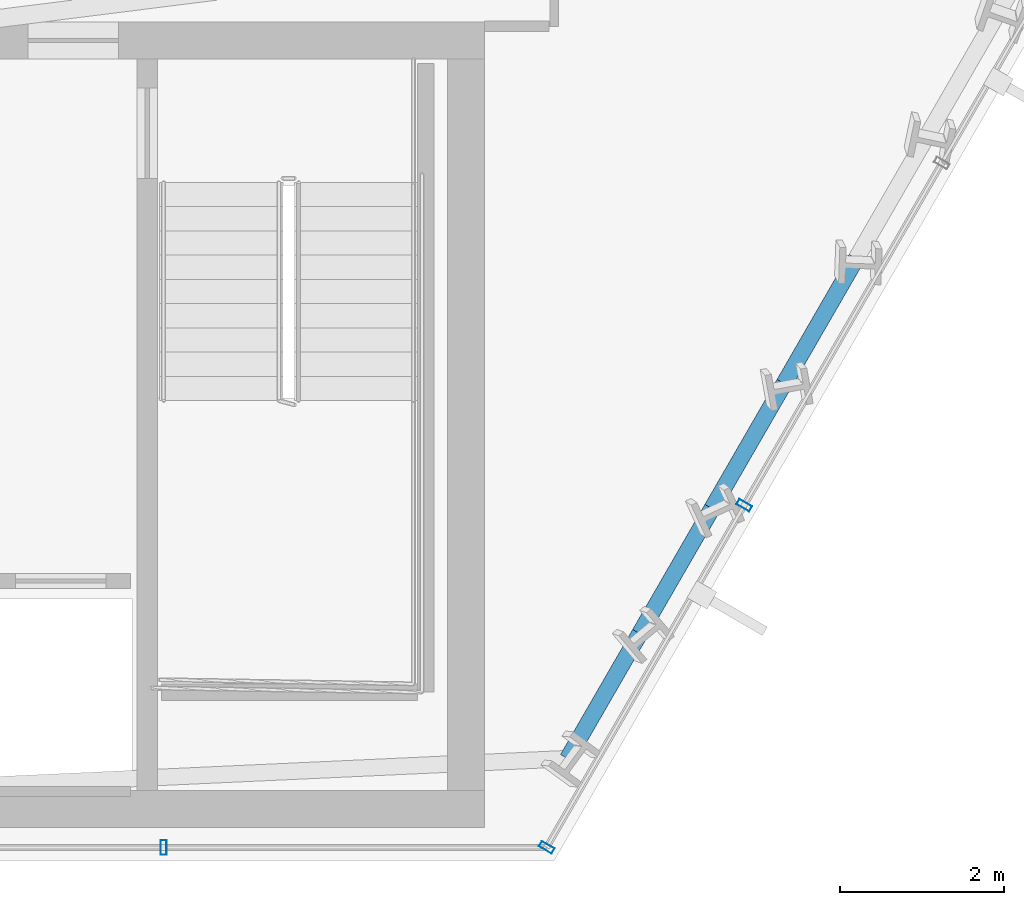
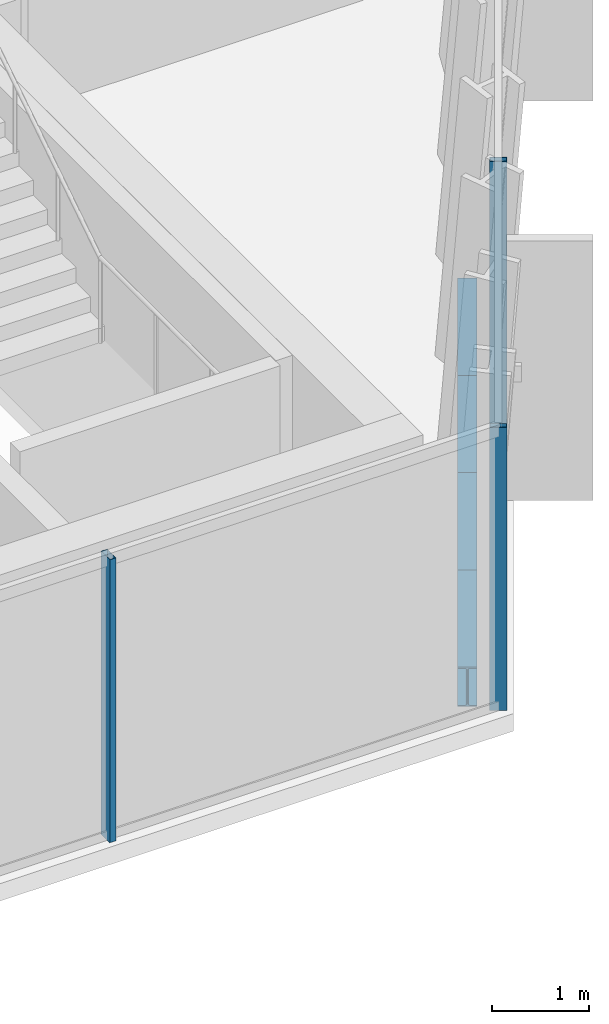
# One storey, part 16 of 33: 4 beams, 3 members, 2 elements without a shape of their own.
"""IFC4 building model written with IfcOpenShell, lengths in metres."""

from ifc_helpers import new_model, si_unit, direction, frame, origin, origin_2d, place, context, subcontext, project, spatial, hollow_rectangle, i_section, extrude, material, layer, layer_set, material_profile, profile_set, type_object, element, aggregate, save


model = new_model("IFC4")

# Units and contexts
model_context = context("Model", 3, precision=1e-05, world=origin(), true_north=direction((0.0, 1.0)))
body_context = subcontext(model_context, "Body", "Model", "MODEL_VIEW")
ifc_project = project(units=[si_unit("LENGTHUNIT", "METRE"), si_unit("AREAUNIT", "SQUARE_METRE"), si_unit("VOLUMEUNIT", "CUBIC_METRE"), si_unit("PLANEANGLEUNIT", "RADIAN"), si_unit("MASSUNIT", "GRAM", prefix="KILO")], contexts=[model_context])

# Site, building, storey
site_placement = place(None, origin())
site = spatial("IfcSite", under=ifc_project, at=site_placement, CompositionType="ELEMENT")
building_placement = place(site_placement, origin())
building = spatial("IfcBuilding", under=site, at=building_placement, Name="Ndaravel Arena Tower", CompositionType="ELEMENT")
storey_placement = place(building_placement, frame((0.0, 0.0, 89.199951171875)))
storey = spatial("IfcBuildingStorey", under=building, at=storey_placement, Name="L20", CompositionType="ELEMENT", Elevation=89.199951171875)

# Beams
ifc_material_1 = material(Name="Steel S355", Category="steel")
ifc_material_profile_1 = material_profile(ifc_material_1, i_section(OverallWidth=0.199951171875, OverallDepth=0.5, WebThickness=0.01025390625, FlangeThickness=0.01611328125, FilletRadius=0.02099609375, at=origin_2d()), Name="IPE 500")
ifc_profile_set_1 = profile_set([ifc_material_profile_1], Name="Steel S355")
beam_type = type_object("IfcBeamType", Name="BM-SPAN-IPE500", PredefinedType="SPANDREL", material=ifc_profile_set_1)
for number, where, z_axis, x_axis, name in (
    (1, (58.563232421875, 6.240478515625, -0.469970703125), (0.500011241135, 0.866018913615, 0.0), (-0.866018913615, 0.500011241135, 0.0), "L20 Perimeter Spandrel Beam SP-02"),
    (2, (59.44140625, 7.761474609375, -0.469970703125), (0.500011241135, 0.866018913615, 0.0), (-0.866018913615, 0.500011241135, 0.0), "L20 Perimeter Spandrel Beam SP-03"),
    (3, (60.319580078125, 9.282470703125, -0.469970703125), (0.500011241135, 0.866018913615, 0.0), (-0.866018913615, 0.500011241135, 0.0), "L20 Perimeter Spandrel Beam SP-04"),
):
    element("IfcBeam", number, at=place(storey_placement, frame(where, z_axis=z_axis, x_axis=x_axis)), inside=storey, type_object=beam_type, Name=name, PredefinedType="SPANDREL", context=body_context, shape_type="SweptSolid", body=[
        extrude(i_section(OverallWidth=0.199951171875, OverallDepth=0.5, WebThickness=0.01025390625, FlangeThickness=0.01611328125, FilletRadius=0.02099609375, at=origin_2d()), origin(), (0.0, 0.0, 1.0), 1.75634765625),
    ])
beam_placement = place(storey_placement, frame((61.19775390625, 10.803466796875, -0.469970703125), z_axis=(0.49990697594, 0.86607910459, 0.0), x_axis=(-0.86607910459, 0.49990697594, 0.0)))
element("IfcBeam", 4, at=beam_placement, inside=storey, type_object=beam_type, Name="L20 Perimeter Spandrel Beam SP-05", PredefinedType="SPANDREL", context=body_context, shape_type="SweptSolid", body=[
    extrude(i_section(OverallWidth=0.199951171875, OverallDepth=0.5, WebThickness=0.01025390625, FlangeThickness=0.01611328125, FilletRadius=0.02099609375, at=origin_2d()), origin(), (0.0, 0.0, 1.0), 1.756103515625),
])

# Curtain wall, member
ifc_material_2 = material(Name="Aluminium", Category="aluminium")
ifc_layer_1 = layer(ifc_material_2, 0.179931640625)
ifc_layer_set_1 = layer_set([ifc_layer_1], Name="Aluminium")
curtain_wall_type_1 = type_object("IfcCurtainWallType", Name="CW-SYS-03", PredefinedType="NOTDEFINED", material=ifc_layer_set_1)
curtain_wall_1_placement = place(storey_placement, origin())
curtain_wall_1 = element("IfcCurtainWall", 5, at=curtain_wall_1_placement, inside=storey, type_object=curtain_wall_type_1, Name="L20 Faceted Crystal Curtain Wall CW-L20-E01", PredefinedType="NOTDEFINED")
ifc_material_3 = material(Name="Aluminium", Category="aluminium")
ifc_material_profile_2 = material_profile(ifc_material_3, hollow_rectangle(XDim=0.074951171875, YDim=0.179931640625, WallThickness=0.00390625, at=origin_2d()), Name="CW MULLION 75x180x4")
ifc_profile_set_2 = profile_set([ifc_material_profile_2], Name="Aluminium")
member_type = type_object("IfcMemberType", Name="MEM-CW-MUL180", PredefinedType="MULLION", material=ifc_profile_set_2)
member_1_placement = place(storey_placement, frame((53.649169921875, 5.159912109375, 0.0), z_axis=(0.0, 0.0, 1.0), x_axis=(1.0, 0.0, 0.0)))
member_1 = element("IfcMember", 6, at=member_1_placement, type_object=member_type, Name="CW-L20-E01 Mullion 06", PredefinedType="MULLION", context=body_context, shape_type="SweptSolid", body=[
    extrude(hollow_rectangle(XDim=0.074951171875, YDim=0.179931640625, WallThickness=0.00390625, at=origin_2d()), origin(), (0.0, 0.0, 1.0), 3.580078125),
])
aggregate(curtain_wall_1, [member_1])

# Curtain wall, members
ifc_material_4 = material(Name="Aluminium", Category="aluminium")
ifc_layer_2 = layer(ifc_material_4, 0.179931640625)
ifc_layer_set_2 = layer_set([ifc_layer_2], Name="Aluminium")
curtain_wall_type_2 = type_object("IfcCurtainWallType", Name="CW-SYS-01", PredefinedType="NOTDEFINED", material=ifc_layer_set_2)
curtain_wall_2_placement = place(storey_placement, origin())
curtain_wall_2 = element("IfcCurtainWall", 7, at=curtain_wall_2_placement, inside=storey, type_object=curtain_wall_type_2, Name="L20 Faceted Crystal Curtain Wall CW-L20-E02", PredefinedType="NOTDEFINED")
member_2_placement = place(storey_placement, frame((58.308837890625, 5.159912109375, 0.0), z_axis=(0.0, 0.0, 1.0), x_axis=(0.5, 0.866025403784, 0.0)))
member_2 = element("IfcMember", 8, at=member_2_placement, type_object=member_type, Name="CW-L20-E02 Mullion 00", PredefinedType="MULLION", context=body_context, shape_type="SweptSolid", body=[
    extrude(hollow_rectangle(XDim=0.074951171875, YDim=0.179931640625, WallThickness=0.00390625, at=origin_2d()), origin(), (0.0, 0.0, 1.0), 3.580078125),
])
member_3_placement = place(storey_placement, frame((60.712158203125, 9.322509765625, 0.0), z_axis=(0.0, 0.0, 1.0), x_axis=(0.5, 0.866025403784, 0.0)))
member_3 = element("IfcMember", 9, at=member_3_placement, type_object=member_type, Name="CW-L20-E02 Mullion 01", PredefinedType="MULLION", context=body_context, shape_type="SweptSolid", body=[
    extrude(hollow_rectangle(XDim=0.074951171875, YDim=0.179931640625, WallThickness=0.00390625, at=origin_2d()), origin(), (0.0, 0.0, 1.0), 3.580078125),
])
aggregate(curtain_wall_2, [member_2, member_3])

save(model, "model.ifc")
